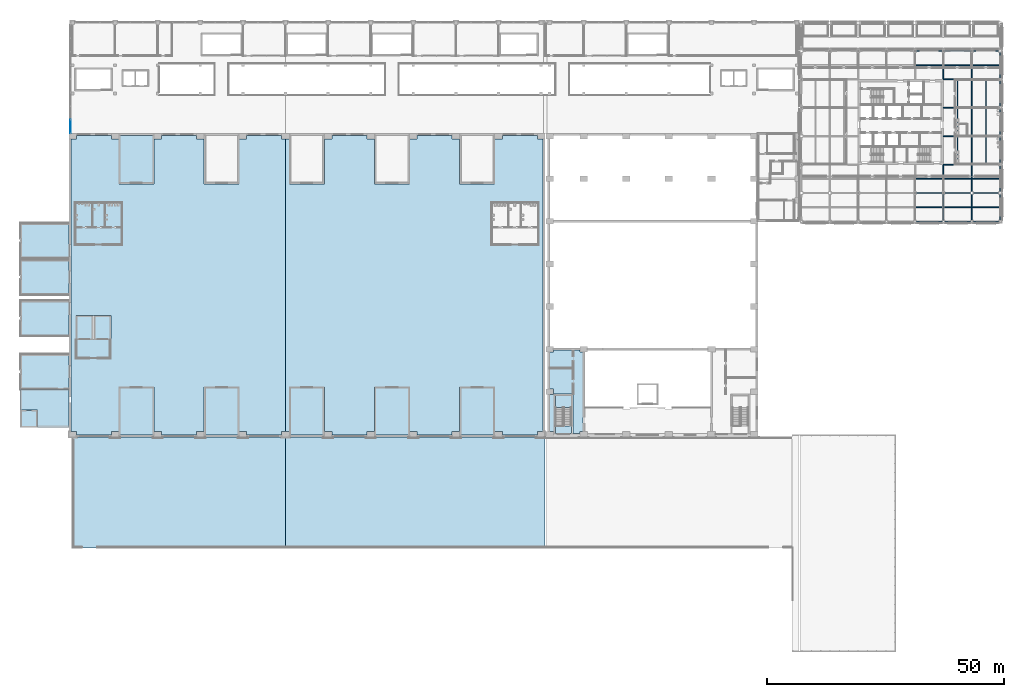
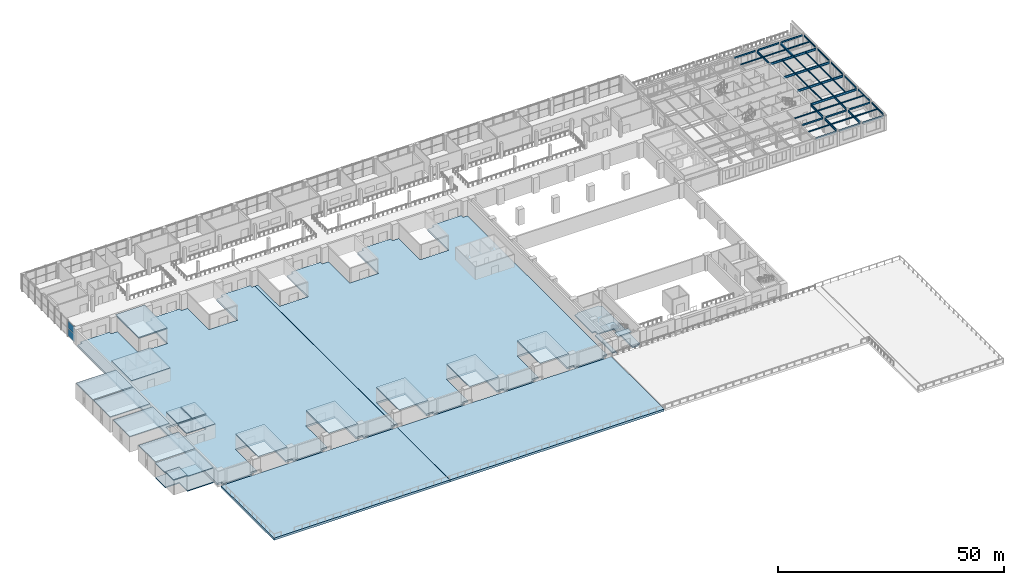
# One storey, part 10 of 39: 43 beams, 24 slabs, 2 plates, 2 elements without a shape of their own.
"""IFC4 building model written with IfcOpenShell, lengths in metres."""

from ifc_helpers import new_model, si_unit, direction, frame, origin, origin_2d, place, context, subcontext, project, spatial, polyline, rectangle, i_section, outline, extrude, material, layer, layer_set, material_profile, profile_set, type_object, element, aggregate, save


model = new_model("IFC4")

# Units and contexts
model_context = context("Model", 3, precision=1e-05, world=origin(), true_north=direction((0.0, 1.0)))
body_context = subcontext(model_context, "Body", "Model", "MODEL_VIEW")
ifc_project = project(units=[si_unit("LENGTHUNIT", "METRE"), si_unit("AREAUNIT", "SQUARE_METRE"), si_unit("VOLUMEUNIT", "CUBIC_METRE"), si_unit("PLANEANGLEUNIT", "RADIAN"), si_unit("MASSUNIT", "GRAM", prefix="KILO")], contexts=[model_context])

# Site, building, storey
site_placement = place(None, origin())
site = spatial("IfcSite", under=ifc_project, at=site_placement, CompositionType="ELEMENT")
building_placement = place(site_placement, origin())
building = spatial("IfcBuilding", under=site, at=building_placement, Name="Aravalli Gate Trade Fair Centre", CompositionType="ELEMENT")
storey_placement = place(building_placement, frame((0.0, 0.0, 15.0)))
storey = spatial("IfcBuildingStorey", under=building, at=storey_placement, Name="L03", CompositionType="ELEMENT", Elevation=15.0)

# Beams
ifc_material_1 = material(Name="Steel E350", Category="steel")
ifc_material_profile_1 = material_profile(ifc_material_1, i_section(OverallWidth=0.2099609375, OverallDepth=0.60009765625, WebThickness=0.011962890625, FlangeThickness=0.020263671875, at=origin_2d()), Name="ISMB 600")
ifc_profile_set_1 = profile_set([ifc_material_profile_1], Name="Steel E350")
beam_type_1 = type_object("IfcBeamType", Name="Wing core to perimeter girder ISMB 600 (office floors)", PredefinedType="BEAM", material=ifc_profile_set_1)
for number, where, z_axis, x_axis, name in (
    (1, (190.0, 103.0, 3.699951171875), (1.0, 0.0, 0.0), (0.0, 1.0, 0.0), "Core to perimeter girder PE0 L04"),
    (2, (190.0, 109.0, 3.699951171875), (1.0, 0.0, 0.0), (0.0, 1.0, 0.0), "Core to perimeter girder PE1 L04"),
    (3, (190.0, 115.0, 3.699951171875), (1.0, 0.0, 0.0), (0.0, 1.0, 0.0), "Core to perimeter girder PE2 L04"),
    (4, (190.0, 121.0, 3.699951171875), (1.0, 0.0, 0.0), (0.0, 1.0, 0.0), "Core to perimeter girder PE3 L04"),
):
    element("IfcBeam", number, at=place(storey_placement, frame(where, z_axis=z_axis, x_axis=x_axis)), inside=storey, type_object=beam_type_1, Name=name, PredefinedType="BEAM", context=body_context, shape_type="SweptSolid", body=[
        extrude(i_section(OverallWidth=0.2099609375, OverallDepth=0.60009765625, WebThickness=0.011962890625, FlangeThickness=0.020263671875, at=origin_2d()), origin(), (0.0, 0.0, 1.0), 11.72509765625),
    ])
beam_1_placement = place(storey_placement, frame((190.0, 91.27490234375, 3.699951171875), z_axis=(0.0, 1.0, 0.0), x_axis=(-1.0, 0.0, 0.0)))
element("IfcBeam", 5, at=beam_1_placement, inside=storey, type_object=beam_type_1, Name="Core to perimeter girder PS3a L04", PredefinedType="BEAM", context=body_context, shape_type="SweptSolid", body=[
    extrude(i_section(OverallWidth=0.2099609375, OverallDepth=0.60009765625, WebThickness=0.011962890625, FlangeThickness=0.020263671875, at=origin_2d()), origin(), (0.0, 0.0, 1.0), 5.4501953125),
])
for number, where, z_axis, x_axis, name in (
    (6, (190.0, 97.27490234375, 3.699951171875), (0.0, 1.0, 0.0), (-1.0, 0.0, 0.0), "Core to perimeter girder PS3b L04"),
    (7, (190.0, 121.10498046875, 3.699951171875), (0.0, 1.0, 0.0), (-1.0, 0.0, 0.0), "Core to perimeter girder PN3a L04"),
):
    element("IfcBeam", number, at=place(storey_placement, frame(where, z_axis=z_axis, x_axis=x_axis)), inside=storey, type_object=beam_type_1, Name=name, PredefinedType="BEAM", context=body_context, shape_type="SweptSolid", body=[
        extrude(i_section(OverallWidth=0.2099609375, OverallDepth=0.60009765625, WebThickness=0.011962890625, FlangeThickness=0.020263671875, at=origin_2d()), origin(), (0.0, 0.0, 1.0), 5.6201171875),
    ])
ifc_material_profile_2 = material_profile(ifc_material_1, i_section(OverallWidth=0.2099609375, OverallDepth=0.60009765625, WebThickness=0.011962890625, FlangeThickness=0.020263671875, at=origin_2d()), Name="ISMB 600")
ifc_profile_set_2 = profile_set([ifc_material_profile_2], Name="Steel E350")
beam_type_2 = type_object("IfcBeamType", Name="Wing corner transfer girder ISMB 600 (office floors)", PredefinedType="BEAM", material=ifc_profile_set_2)
beam_2_placement = place(storey_placement, frame((196.0, 91.27490234375, 3.699951171875), z_axis=(0.0, 1.0, 0.0), x_axis=(-1.0, 0.0, 0.0)))
element("IfcBeam", 8, at=beam_2_placement, inside=storey, type_object=beam_type_2, Name="Corner transfer girder CSEya L04", PredefinedType="BEAM", context=body_context, shape_type="SweptSolid", body=[
    extrude(i_section(OverallWidth=0.2099609375, OverallDepth=0.60009765625, WebThickness=0.011962890625, FlangeThickness=0.020263671875, at=origin_2d()), origin(), (0.0, 0.0, 1.0), 5.4501953125),
])
for number, where, z_axis, x_axis, name in (
    (9, (196.0, 97.27490234375, 3.699951171875), (0.0, 1.0, 0.0), (-1.0, 0.0, 0.0), "Corner transfer girder CSEyb L04"),
    (10, (196.0, 121.10498046875, 3.699951171875), (0.0, 1.0, 0.0), (-1.0, 0.0, 0.0), "Corner transfer girder CNEya L04"),
):
    element("IfcBeam", number, at=place(storey_placement, frame(where, z_axis=z_axis, x_axis=x_axis)), inside=storey, type_object=beam_type_2, Name=name, PredefinedType="BEAM", context=body_context, shape_type="SweptSolid", body=[
        extrude(i_section(OverallWidth=0.2099609375, OverallDepth=0.60009765625, WebThickness=0.011962890625, FlangeThickness=0.020263671875, at=origin_2d()), origin(), (0.0, 0.0, 1.0), 5.6201171875),
    ])
ifc_material_profile_3 = material_profile(ifc_material_1, i_section(OverallWidth=0.14990234375, OverallDepth=0.449951171875, WebThickness=0.009521484375, FlangeThickness=0.017333984375, at=origin_2d()), Name="ISMB 450")
ifc_profile_set_3 = profile_set([ifc_material_profile_3], Name="Steel E350")
beam_type_3 = type_object("IfcBeamType", Name="Wing perimeter beam ISMB 450 (office floors)", PredefinedType="BEAM", material=ifc_profile_set_3)
for number, where, z_axis, x_axis, name in (
    (11, (184.27490234375, 91.0, 3.77490234375), (1.0, 0.0, 0.0), (0.0, 1.0, 0.0), "Perimeter beam ES4 L04"),
    (12, (190.27490234375, 91.0, 3.77490234375), (1.0, 0.0, 0.0), (0.0, 1.0, 0.0), "Perimeter beam ES5 L04"),
    (13, (196.27490234375, 91.0, 3.77490234375), (1.0, 0.0, 0.0), (0.0, 1.0, 0.0), "Perimeter beam ES6 L04"),
    (14, (184.27490234375, 97.0, 3.77490234375), (1.0, 0.0, 0.0), (0.0, 1.0, 0.0), "Perimeter beam ER4 L04"),
    (15, (184.27490234375, 127.0, 3.77490234375), (1.0, 0.0, 0.0), (0.0, 1.0, 0.0), "Perimeter beam EQ4 L04"),
    (16, (190.27490234375, 97.0, 3.77490234375), (1.0, 0.0, 0.0), (0.0, 1.0, 0.0), "Perimeter beam ER5 L04"),
    (17, (190.27490234375, 127.0, 3.77490234375), (1.0, 0.0, 0.0), (0.0, 1.0, 0.0), "Perimeter beam EQ5 L04"),
    (18, (196.27490234375, 97.0, 3.77490234375), (1.0, 0.0, 0.0), (0.0, 1.0, 0.0), "Perimeter beam ER6 L04"),
    (19, (196.27490234375, 127.0, 3.77490234375), (1.0, 0.0, 0.0), (0.0, 1.0, 0.0), "Perimeter beam EQ6 L04"),
    (20, (202.0, 91.27490234375, 3.77490234375), (0.0, 1.0, 0.0), (-1.0, 0.0, 0.0), "Perimeter beam EE0 L04"),
    (21, (202.0, 97.27490234375, 3.77490234375), (0.0, 1.0, 0.0), (-1.0, 0.0, 0.0), "Perimeter beam EE1 L04"),
    (22, (202.0, 103.27490234375, 3.77490234375), (0.0, 1.0, 0.0), (-1.0, 0.0, 0.0), "Perimeter beam EE2 L04"),
    (23, (202.0, 109.27490234375, 3.77490234375), (0.0, 1.0, 0.0), (-1.0, 0.0, 0.0), "Perimeter beam EE3 L04"),
    (24, (202.0, 115.27490234375, 3.77490234375), (0.0, 1.0, 0.0), (-1.0, 0.0, 0.0), "Perimeter beam EE4 L04"),
    (25, (202.0, 121.27490234375, 3.77490234375), (0.0, 1.0, 0.0), (-1.0, 0.0, 0.0), "Perimeter beam EE5 L04"),
):
    element("IfcBeam", number, at=place(storey_placement, frame(where, z_axis=z_axis, x_axis=x_axis)), inside=storey, type_object=beam_type_3, Name=name, PredefinedType="BEAM", context=body_context, shape_type="SweptSolid", body=[
        extrude(i_section(OverallWidth=0.14990234375, OverallDepth=0.449951171875, WebThickness=0.009521484375, FlangeThickness=0.017333984375, at=origin_2d()), origin(), (0.0, 0.0, 1.0), 5.4501953125),
    ])
ifc_material_profile_4 = material_profile(ifc_material_1, i_section(OverallWidth=0.139892578125, OverallDepth=0.35009765625, WebThickness=0.008056640625, FlangeThickness=0.01416015625, at=origin_2d()), Name="ISMB 350")
ifc_profile_set_4 = profile_set([ifc_material_profile_4], Name="Steel E350")
beam_type_4 = type_object("IfcBeamType", Name="Wing secondary beam ISMB 350 (office floors)", PredefinedType="BEAM", material=ifc_profile_set_4)
beam_3_placement = place(storey_placement, frame((190.10498046875, 94.0, 3.824951171875), z_axis=(1.0, 0.0, 0.0), x_axis=(0.0, 1.0, 0.0)))
element("IfcBeam", 26, at=beam_3_placement, inside=storey, type_object=beam_type_4, Name="Secondary beam KES00 L04", PredefinedType="BEAM", context=body_context, shape_type="SweptSolid", body=[
    extrude(i_section(OverallWidth=0.139892578125, OverallDepth=0.35009765625, WebThickness=0.008056640625, FlangeThickness=0.01416015625, at=origin_2d()), origin(), (0.0, 0.0, 1.0), 5.7900390625),
])
beam_4_placement = place(storey_placement, frame((196.10498046875, 94.0, 3.824951171875), z_axis=(1.0, 0.0, 0.0), x_axis=(0.0, 1.0, 0.0)))
element("IfcBeam", 27, at=beam_4_placement, inside=storey, type_object=beam_type_4, Name="Secondary beam KES01 L04", PredefinedType="BEAM", context=body_context, shape_type="SweptSolid", body=[
    extrude(i_section(OverallWidth=0.139892578125, OverallDepth=0.35009765625, WebThickness=0.008056640625, FlangeThickness=0.01416015625, at=origin_2d()), origin(), (0.0, 0.0, 1.0), 5.820068359375),
])
beam_5_placement = place(storey_placement, frame((190.10498046875, 100.0, 3.824951171875), z_axis=(1.0, 0.0, 0.0), x_axis=(0.0, 1.0, 0.0)))
element("IfcBeam", 28, at=beam_5_placement, inside=storey, type_object=beam_type_4, Name="Secondary beam KES10 L04", PredefinedType="BEAM", context=body_context, shape_type="SweptSolid", body=[
    extrude(i_section(OverallWidth=0.139892578125, OverallDepth=0.35009765625, WebThickness=0.008056640625, FlangeThickness=0.01416015625, at=origin_2d()), origin(), (0.0, 0.0, 1.0), 5.7900390625),
])
beam_6_placement = place(storey_placement, frame((196.10498046875, 100.0, 3.824951171875), z_axis=(1.0, 0.0, 0.0), x_axis=(0.0, 1.0, 0.0)))
element("IfcBeam", 29, at=beam_6_placement, inside=storey, type_object=beam_type_4, Name="Secondary beam KES11 L04", PredefinedType="BEAM", context=body_context, shape_type="SweptSolid", body=[
    extrude(i_section(OverallWidth=0.139892578125, OverallDepth=0.35009765625, WebThickness=0.008056640625, FlangeThickness=0.01416015625, at=origin_2d()), origin(), (0.0, 0.0, 1.0), 5.820068359375),
])
beam_7_placement = place(storey_placement, frame((190.10498046875, 124.0, 3.824951171875), z_axis=(1.0, 0.0, 0.0), x_axis=(0.0, 1.0, 0.0)))
element("IfcBeam", 30, at=beam_7_placement, inside=storey, type_object=beam_type_4, Name="Secondary beam KEN00 L04", PredefinedType="BEAM", context=body_context, shape_type="SweptSolid", body=[
    extrude(i_section(OverallWidth=0.139892578125, OverallDepth=0.35009765625, WebThickness=0.008056640625, FlangeThickness=0.01416015625, at=origin_2d()), origin(), (0.0, 0.0, 1.0), 5.7900390625),
])
beam_8_placement = place(storey_placement, frame((196.10498046875, 124.0, 3.824951171875), z_axis=(1.0, 0.0, 0.0), x_axis=(0.0, 1.0, 0.0)))
element("IfcBeam", 31, at=beam_8_placement, inside=storey, type_object=beam_type_4, Name="Secondary beam KEN01 L04", PredefinedType="BEAM", context=body_context, shape_type="SweptSolid", body=[
    extrude(i_section(OverallWidth=0.139892578125, OverallDepth=0.35009765625, WebThickness=0.008056640625, FlangeThickness=0.01416015625, at=origin_2d()), origin(), (0.0, 0.0, 1.0), 5.820068359375),
])
for number, where, z_axis, x_axis, name in (
    (32, (193.0, 103.10498046875, 3.824951171875), (0.0, 1.0, 0.0), (-1.0, 0.0, 0.0), "Secondary beam BE0193 L04"),
    (33, (196.0, 103.10498046875, 3.824951171875), (0.0, 1.0, 0.0), (-1.0, 0.0, 0.0), "Secondary beam BE0196 L04"),
    (34, (199.0, 103.10498046875, 3.824951171875), (0.0, 1.0, 0.0), (-1.0, 0.0, 0.0), "Secondary beam BE0199 L04"),
    (35, (193.0, 109.10498046875, 3.824951171875), (0.0, 1.0, 0.0), (-1.0, 0.0, 0.0), "Secondary beam BE1193 L04"),
    (36, (196.0, 109.10498046875, 3.824951171875), (0.0, 1.0, 0.0), (-1.0, 0.0, 0.0), "Secondary beam BE1196 L04"),
    (37, (199.0, 109.10498046875, 3.824951171875), (0.0, 1.0, 0.0), (-1.0, 0.0, 0.0), "Secondary beam BE1199 L04"),
    (38, (193.0, 115.10498046875, 3.824951171875), (0.0, 1.0, 0.0), (-1.0, 0.0, 0.0), "Secondary beam BE2193 L04"),
    (39, (196.0, 115.10498046875, 3.824951171875), (0.0, 1.0, 0.0), (-1.0, 0.0, 0.0), "Secondary beam BE2196 L04"),
    (40, (199.0, 115.10498046875, 3.824951171875), (0.0, 1.0, 0.0), (-1.0, 0.0, 0.0), "Secondary beam BE2199 L04"),
    (41, (184.10498046875, 94.0, 3.824951171875), (1.0, 0.0, 0.0), (0.0, 1.0, 0.0), "Secondary beam BS294 L04"),
    (42, (184.10498046875, 100.0, 3.824951171875), (1.0, 0.0, 0.0), (0.0, 1.0, 0.0), "Secondary beam BS2100 L04"),
    (43, (184.10498046875, 124.0, 3.824951171875), (1.0, 0.0, 0.0), (0.0, 1.0, 0.0), "Secondary beam BN2124 L04"),
):
    element("IfcBeam", number, at=place(storey_placement, frame(where, z_axis=z_axis, x_axis=x_axis)), inside=storey, type_object=beam_type_4, Name=name, PredefinedType="BEAM", context=body_context, shape_type="SweptSolid", body=[
        extrude(i_section(OverallWidth=0.139892578125, OverallDepth=0.35009765625, WebThickness=0.008056640625, FlangeThickness=0.01416015625, at=origin_2d()), origin(), (0.0, 0.0, 1.0), 5.7900390625),
    ])

# Stair, slabs
ifc_material_2 = material(Name="Concrete M45", Category="concrete")
stair_type = type_object("IfcStairType", Name="Congress exit stair", PredefinedType="HALF_TURN_STAIR", material=ifc_material_2)
stair_placement = place(storey_placement, origin())
stair = element("IfcStair", 44, at=stair_placement, inside=storey, type_object=stair_type, Name="Stage Stair West L03", PredefinedType="HALF_TURN_STAIR")
ifc_layer_1 = layer(ifc_material_2, 0.199951171875)
ifc_layer_set_1 = layer_set([ifc_layer_1], Name="Concrete M45")
slab_type_1 = type_object("IfcSlabType", Name="Congress exit stair landing RC 200", PredefinedType="LANDING", material=ifc_layer_set_1)
slab_1_placement = place(storey_placement, frame((0.0, 0.0, 1.89990234375)))
slab_1 = element("IfcSlab", 45, at=slab_1_placement, type_object=slab_type_1, Name="GX1 landing 1", PredefinedType="LANDING", context=body_context, shape_type="SweptSolid", body=[
    extrude(outline(polyline([(108.0, 51.699951171875), (111.39990234375, 51.699951171875), (111.39990234375, 54.199951171875), (108.0, 54.199951171875), (108.0, 51.699951171875)])), origin(), (0.0, 0.0, 1.0), 0.2001953125),
])
slab_2_placement = place(storey_placement, frame((0.0, 0.0, 4.0)))
slab_2 = element("IfcSlab", 46, at=slab_2_placement, type_object=slab_type_1, Name="GX1 landing 2", PredefinedType="LANDING", context=body_context, shape_type="SweptSolid", body=[
    extrude(outline(polyline([(108.0, 46.199951171875), (111.39990234375, 46.199951171875), (111.39990234375, 47.800048828125), (108.0, 47.800048828125), (108.0, 46.199951171875)])), origin(), (0.0, 0.0, 1.0), 0.199951171875),
])
aggregate(stair, [slab_1, slab_2])

# Slab
ifc_material_3 = material(Name="Concrete M40", Category="concrete")
ifc_layer_2 = layer(ifc_material_3, 0.300048828125)
ifc_layer_set_2 = layer_set([ifc_layer_2], Name="Concrete M40")
slab_type_2 = type_object("IfcSlabType", Name="Congress floor slab RC 300", PredefinedType="FLOOR", material=ifc_layer_set_2)
slab_3_placement = place(storey_placement, frame((0.0, 0.0, -0.300048828125)))
element("IfcSlab", 47, at=slab_3_placement, inside=storey, type_object=slab_type_2, Name="Stage wing floor L03 W", PredefinedType="FLOOR", context=body_context, shape_type="SweptSolid", body=[
    extrude(outline(polyline([(113.199951171875, 46.60009765625), (113.199951171875, 46.199951171875), (111.699951171875, 46.199951171875), (111.699951171875, 54.5), (107.699951171875, 54.5), (107.699951171875, 46.199951171875), (107.60009765625, 46.199951171875), (107.60009765625, 46.60009765625), (106.800048828125, 46.60009765625), (106.800048828125, 54.39990234375), (107.60009765625, 54.39990234375), (107.60009765625, 55.60009765625), (106.800048828125, 55.60009765625), (106.800048828125, 63.39990234375), (107.60009765625, 63.39990234375), (107.60009765625, 63.800048828125), (113.199951171875, 63.800048828125), (113.199951171875, 63.39990234375), (113.800048828125, 63.39990234375), (113.800048828125, 46.60009765625), (113.199951171875, 46.60009765625)])), origin(), (0.0, 0.0, 1.0), 0.300048828125),
])

# Curtain wall, plates
ifc_material_4 = material(Name="Aluminium and glass", Category="aluminium")
curtain_wall_type = type_object("IfcCurtainWallType", Name="Curtain wall 3000 module, tall", PredefinedType="NOTDEFINED", material=ifc_material_4)
curtain_wall_placement = place(storey_placement, origin())
curtain_wall = element("IfcCurtainWall", 48, at=curtain_wall_placement, inside=storey, type_object=curtain_wall_type, Name="Curtain wall west end L03", PredefinedType="NOTDEFINED")
ifc_material_5 = material(Name="Glass, double glazed", Category="glass")
ifc_layer_3 = layer(ifc_material_5, 0.028076171875)
ifc_layer_set_3 = layer_set([ifc_layer_3], Name="Glass, double glazed")
plate_type = type_object("IfcPlateType", Name="Curtain wall panel, double glazed 28", PredefinedType="CURTAIN_PANEL", material=ifc_layer_set_3)
plate_1_placement = place(storey_placement, frame((5.574951171875, 111.052490234375, 0.06005859375), z_axis=(0.0, 0.0, 1.0), x_axis=(0.0, 1.0, 0.0)))
plate_1 = element("IfcPlate", 49, at=plate_1_placement, type_object=plate_type, Name="CW3 panel 1.1", PredefinedType="CURTAIN_PANEL", context=body_context, shape_type="SweptSolid", body=[
    extrude(rectangle(XDim=2.784912109375, YDim=0.028076171875, at=origin_2d()), origin(), (0.0, 0.0, 1.0), 2.010009765625),
])
plate_2_placement = place(storey_placement, frame((5.574951171875, 111.052490234375, 2.1298828125), z_axis=(0.0, 0.0, 1.0), x_axis=(0.0, 1.0, 0.0)))
plate_2 = element("IfcPlate", 50, at=plate_2_placement, type_object=plate_type, Name="CW3 panel 1.2", PredefinedType="CURTAIN_PANEL", context=body_context, shape_type="SweptSolid", body=[
    extrude(rectangle(XDim=2.784912109375, YDim=0.028076171875, at=origin_2d()), origin(), (0.0, 0.0, 1.0), 2.010009765625),
])
aggregate(curtain_wall, [plate_1, plate_2])

# Slabs
ifc_layer_4 = layer(ifc_material_3, 0.25)
ifc_layer_set_4 = layer_set([ifc_layer_4], Name="Concrete M40")
slab_type_3 = type_object("IfcSlabType", Name="Firefighting lobby floor slab RC 250", PredefinedType="FLOOR", material=ifc_layer_set_4)
slab_4_placement = place(storey_placement, frame((0.0, 0.0, -0.25)))
element("IfcSlab", 51, at=slab_4_placement, inside=storey, type_object=slab_type_3, Name="Firefighting lobby floor L03", PredefinedType="FLOOR", context=body_context, shape_type="SweptSolid", body=[
    extrude(outline(polyline([(-5.0, 55.5), (5.199951171875, 55.5), (5.199951171875, 47.5), (-1.39990234375, 47.5), (-1.39990234375, 51.10009765625), (-5.0, 51.10009765625), (-5.0, 55.5)])), origin(), (0.0, 0.0, 1.0), 0.25),
])
ifc_layer_5 = layer(ifc_material_3, 0.199951171875)
ifc_layer_set_5 = layer_set([ifc_layer_5], Name="Concrete M40")
slab_type_4 = type_object("IfcSlabType", Name="Firefighting lobby roof slab RC 200", PredefinedType="ROOF", material=ifc_layer_set_5)
slab_5_placement = place(storey_placement, frame((0.0, 0.0, 3.699951171875)))
element("IfcSlab", 52, at=slab_5_placement, inside=storey, type_object=slab_type_4, Name="Firefighting lobby roof", PredefinedType="ROOF", context=body_context, shape_type="SweptSolid", body=[
    extrude(outline(polyline([(-5.0, 55.5), (5.199951171875, 55.5), (5.199951171875, 47.5), (-1.39990234375, 47.5), (-1.39990234375, 51.10009765625), (-5.0, 51.10009765625), (-5.0, 55.5)])), origin(), (0.0, 0.0, 1.0), 0.199951171875),
])
ifc_layer_6 = layer(ifc_material_3, 0.300048828125)
ifc_layer_set_6 = layer_set([ifc_layer_6], Name="Concrete M40")
slab_type_5 = type_object("IfcSlabType", Name="Firefighting shaft roof slab RC 300", PredefinedType="ROOF", material=ifc_layer_set_6)
slab_6_placement = place(storey_placement, frame((0.0, 0.0, 3.89990234375)))
element("IfcSlab", 53, at=slab_6_placement, inside=storey, type_object=slab_type_5, Name="Firefighting lift shaft roof", PredefinedType="ROOF", context=body_context, shape_type="SweptSolid", body=[
    extrude(outline(polyline([(-5.0, 47.5), (-1.39990234375, 47.5), (-1.39990234375, 51.10009765625), (-5.0, 51.10009765625), (-5.0, 47.5)])), origin(), (0.0, 0.0, 1.0), 0.300048828125),
])
ifc_layer_7 = layer(ifc_material_3, 0.300048828125)
ifc_layer_set_7 = layer_set([ifc_layer_7], Name="Concrete M40")
slab_type_6 = type_object("IfcSlabType", Name="Freight shaft roof slab RC 300", PredefinedType="ROOF", material=ifc_layer_set_7)
slab_7_placement = place(storey_placement, frame((0.0, 0.0, 3.89990234375)))
element("IfcSlab", 54, at=slab_7_placement, inside=storey, type_object=slab_type_6, Name="Freight lift 1 shaft roof", PredefinedType="ROOF", context=body_context, shape_type="SweptSolid", body=[
    extrude(outline(polyline([(6.699951171875, 66.0), (10.300048828125, 66.0), (10.300048828125, 71.10009765625), (6.699951171875, 71.10009765625), (6.699951171875, 66.0)])), origin(), (0.0, 0.0, 1.0), 0.300048828125),
])
slab_8_placement = place(storey_placement, frame((0.0, 0.0, 3.89990234375)))
element("IfcSlab", 55, at=slab_8_placement, inside=storey, type_object=slab_type_6, Name="Freight lift 2 shaft roof", PredefinedType="ROOF", context=body_context, shape_type="SweptSolid", body=[
    extrude(outline(polyline([(10.5, 66.0), (14.10009765625, 66.0), (14.10009765625, 71.10009765625), (10.5, 71.10009765625), (10.5, 66.0)])), origin(), (0.0, 0.0, 1.0), 0.300048828125),
])
ifc_layer_8 = layer(ifc_material_3, 0.5)
ifc_layer_set_8 = layer_set([ifc_layer_8], Name="Concrete M40")
slab_type_7 = type_object("IfcSlabType", Name="Hall 2 deck RC 500", PredefinedType="FLOOR", material=ifc_layer_set_8)
slab_9_placement = place(storey_placement, frame((0.0, 0.0, -0.5)))
element("IfcSlab", 56, at=slab_9_placement, inside=storey, type_object=slab_type_7, Name="Hall 2 deck panel 1", PredefinedType="FLOOR", context=body_context, shape_type="SweptSolid", body=[
    extrude(outline(polyline([(50.199951171875, 46.60009765625), (50.199951171875, 45.85009765625), (42.800048828125, 45.85009765625), (42.800048828125, 46.60009765625), (41.199951171875, 46.60009765625), (41.199951171875, 56.050048828125), (33.800048828125, 56.050048828125), (33.800048828125, 46.60009765625), (32.199951171875, 46.60009765625), (32.199951171875, 45.85009765625), (24.800048828125, 45.85009765625), (24.800048828125, 46.60009765625), (23.199951171875, 46.60009765625), (23.199951171875, 56.050048828125), (15.800048828125, 56.050048828125), (15.800048828125, 46.60009765625), (14.199951171875, 46.60009765625), (14.199951171875, 45.85009765625), (6.800048828125, 45.85009765625), (6.800048828125, 46.60009765625), (5.64990234375, 46.60009765625), (5.64990234375, 108.39990234375), (6.800048828125, 108.39990234375), (6.800048828125, 109.14990234375), (14.199951171875, 109.14990234375), (14.199951171875, 108.39990234375), (15.800048828125, 108.39990234375), (15.800048828125, 98.949951171875), (23.199951171875, 98.949951171875), (23.199951171875, 108.39990234375), (24.800048828125, 108.39990234375), (24.800048828125, 109.14990234375), (32.199951171875, 109.14990234375), (32.199951171875, 108.39990234375), (33.800048828125, 108.39990234375), (33.800048828125, 98.949951171875), (41.199951171875, 98.949951171875), (41.199951171875, 108.39990234375), (42.800048828125, 108.39990234375), (42.800048828125, 109.14990234375), (50.199951171875, 109.14990234375), (50.199951171875, 108.39990234375), (50.97998046875, 108.39990234375), (50.97998046875, 46.60009765625), (50.199951171875, 46.60009765625)]), holes=[polyline([(14.10009765625, 71.10009765625), (6.699951171875, 71.10009765625), (6.699951171875, 66.0), (14.10009765625, 66.0), (14.10009765625, 71.10009765625)])]), origin(), (0.0, 0.0, 1.0), 0.5),
])
slab_10_placement = place(storey_placement, frame((0.0, 0.0, -0.5)))
element("IfcSlab", 57, at=slab_10_placement, inside=storey, type_object=slab_type_7, Name="Hall 2 deck panel 2", PredefinedType="FLOOR", context=body_context, shape_type="SweptSolid", body=[
    extrude(outline(polyline([(104.199951171875, 46.60009765625), (104.199951171875, 45.85009765625), (96.800048828125, 45.85009765625), (96.800048828125, 46.60009765625), (95.199951171875, 46.60009765625), (95.199951171875, 56.050048828125), (87.800048828125, 56.050048828125), (87.800048828125, 46.60009765625), (86.199951171875, 46.60009765625), (86.199951171875, 45.85009765625), (78.800048828125, 45.85009765625), (78.800048828125, 46.60009765625), (77.199951171875, 46.60009765625), (77.199951171875, 56.050048828125), (69.800048828125, 56.050048828125), (69.800048828125, 46.60009765625), (68.199951171875, 46.60009765625), (68.199951171875, 45.85009765625), (60.800048828125, 45.85009765625), (60.800048828125, 46.60009765625), (59.199951171875, 46.60009765625), (59.199951171875, 56.050048828125), (51.800048828125, 56.050048828125), (51.800048828125, 46.60009765625), (51.02001953125, 46.60009765625), (51.02001953125, 108.39990234375), (51.800048828125, 108.39990234375), (51.800048828125, 98.949951171875), (59.199951171875, 98.949951171875), (59.199951171875, 108.39990234375), (60.800048828125, 108.39990234375), (60.800048828125, 109.14990234375), (68.199951171875, 109.14990234375), (68.199951171875, 108.39990234375), (69.800048828125, 108.39990234375), (69.800048828125, 98.949951171875), (77.199951171875, 98.949951171875), (77.199951171875, 108.39990234375), (78.800048828125, 108.39990234375), (78.800048828125, 109.14990234375), (86.199951171875, 109.14990234375), (86.199951171875, 108.39990234375), (87.800048828125, 108.39990234375), (87.800048828125, 98.949951171875), (95.199951171875, 98.949951171875), (95.199951171875, 108.39990234375), (96.800048828125, 108.39990234375), (96.800048828125, 109.14990234375), (104.199951171875, 109.14990234375), (104.199951171875, 108.39990234375), (105.35009765625, 108.39990234375), (105.35009765625, 46.60009765625), (104.199951171875, 46.60009765625)])), origin(), (0.0, 0.0, 1.0), 0.5),
])
ifc_layer_9 = layer(ifc_material_2, 0.60009765625)
ifc_layer_set_9 = layer_set([ifc_layer_9], Name="Concrete M45")
slab_type_8 = type_object("IfcSlabType", Name="Loading deck slab RC 600", PredefinedType="FLOOR", material=ifc_layer_set_9)
slab_11_placement = place(storey_placement, frame((0.0, 0.0, -0.60009765625)))
element("IfcSlab", 58, at=slab_11_placement, inside=storey, type_object=slab_type_8, Name="Loading deck slab 1", PredefinedType="FLOOR", context=body_context, shape_type="SweptSolid", body=[
    extrude(outline(polyline([(6.0, 22.0), (50.97998046875, 22.0), (50.97998046875, 45.39990234375), (6.0, 45.39990234375), (6.0, 22.0)])), origin(), (0.0, 0.0, 1.0), 0.60009765625),
])
slab_12_placement = place(storey_placement, frame((0.0, 0.0, -0.60009765625)))
element("IfcSlab", 59, at=slab_12_placement, inside=storey, type_object=slab_type_8, Name="Loading deck slab 2", PredefinedType="FLOOR", context=body_context, shape_type="SweptSolid", body=[
    extrude(outline(polyline([(51.02001953125, 22.0), (105.800048828125, 22.0), (105.800048828125, 45.39990234375), (51.02001953125, 45.39990234375), (51.02001953125, 22.0)])), origin(), (0.0, 0.0, 1.0), 0.60009765625),
])
ifc_layer_10 = layer(ifc_material_3, 0.300048828125)
ifc_layer_set_10 = layer_set([ifc_layer_10], Name="Concrete M40")
slab_type_9 = type_object("IfcSlabType", Name="Stair head-house roof RC 300", PredefinedType="ROOF", material=ifc_layer_set_10)
slab_13_placement = place(storey_placement, frame((0.0, 0.0, 3.89990234375)))
element("IfcSlab", 60, at=slab_13_placement, inside=storey, type_object=slab_type_9, Name="Stair tower S02 head-house roof", PredefinedType="ROOF", context=body_context, shape_type="SweptSolid", body=[
    extrude(outline(polyline([(15.800048828125, 45.85009765625), (23.199951171875, 45.85009765625), (23.199951171875, 56.050048828125), (15.800048828125, 56.050048828125), (15.800048828125, 45.85009765625)])), origin(), (0.0, 0.0, 1.0), 0.300048828125),
])
slab_14_placement = place(storey_placement, frame((0.0, 0.0, 3.89990234375)))
element("IfcSlab", 61, at=slab_14_placement, inside=storey, type_object=slab_type_9, Name="Stair tower S04 head-house roof", PredefinedType="ROOF", context=body_context, shape_type="SweptSolid", body=[
    extrude(outline(polyline([(33.800048828125, 45.85009765625), (41.199951171875, 45.85009765625), (41.199951171875, 56.050048828125), (33.800048828125, 56.050048828125), (33.800048828125, 45.85009765625)])), origin(), (0.0, 0.0, 1.0), 0.300048828125),
])
slab_15_placement = place(storey_placement, frame((0.0, 0.0, 3.89990234375)))
element("IfcSlab", 62, at=slab_15_placement, inside=storey, type_object=slab_type_9, Name="Stair tower S06 head-house roof", PredefinedType="ROOF", context=body_context, shape_type="SweptSolid", body=[
    extrude(outline(polyline([(51.800048828125, 45.85009765625), (59.199951171875, 45.85009765625), (59.199951171875, 56.050048828125), (51.800048828125, 56.050048828125), (51.800048828125, 45.85009765625)])), origin(), (0.0, 0.0, 1.0), 0.300048828125),
])
slab_16_placement = place(storey_placement, frame((0.0, 0.0, 3.89990234375)))
element("IfcSlab", 63, at=slab_16_placement, inside=storey, type_object=slab_type_9, Name="Stair tower S08 head-house roof", PredefinedType="ROOF", context=body_context, shape_type="SweptSolid", body=[
    extrude(outline(polyline([(69.800048828125, 45.85009765625), (77.199951171875, 45.85009765625), (77.199951171875, 56.050048828125), (69.800048828125, 56.050048828125), (69.800048828125, 45.85009765625)])), origin(), (0.0, 0.0, 1.0), 0.300048828125),
])
slab_17_placement = place(storey_placement, frame((0.0, 0.0, 3.89990234375)))
element("IfcSlab", 64, at=slab_17_placement, inside=storey, type_object=slab_type_9, Name="Stair tower S10 head-house roof", PredefinedType="ROOF", context=body_context, shape_type="SweptSolid", body=[
    extrude(outline(polyline([(87.800048828125, 45.85009765625), (95.199951171875, 45.85009765625), (95.199951171875, 56.050048828125), (87.800048828125, 56.050048828125), (87.800048828125, 45.85009765625)])), origin(), (0.0, 0.0, 1.0), 0.300048828125),
])
slab_18_placement = place(storey_placement, frame((0.0, 0.0, 3.89990234375)))
element("IfcSlab", 65, at=slab_18_placement, inside=storey, type_object=slab_type_9, Name="Stair tower N02 head-house roof", PredefinedType="ROOF", context=body_context, shape_type="SweptSolid", body=[
    extrude(outline(polyline([(15.800048828125, 109.14990234375), (23.199951171875, 109.14990234375), (23.199951171875, 98.949951171875), (15.800048828125, 98.949951171875), (15.800048828125, 109.14990234375)])), origin(), (0.0, 0.0, 1.0), 0.300048828125),
])
slab_19_placement = place(storey_placement, frame((0.0, 0.0, 3.89990234375)))
element("IfcSlab", 66, at=slab_19_placement, inside=storey, type_object=slab_type_9, Name="Stair tower W1 head-house roof", PredefinedType="ROOF", context=body_context, shape_type="SweptSolid", body=[
    extrude(outline(polyline([(5.199951171875, 55.5), (5.199951171875, 62.89990234375), (-5.0, 62.89990234375), (-5.0, 55.5), (5.199951171875, 55.5)])), origin(), (0.0, 0.0, 1.0), 0.300048828125),
])
slab_20_placement = place(storey_placement, frame((0.0, 0.0, 3.89990234375)))
element("IfcSlab", 67, at=slab_20_placement, inside=storey, type_object=slab_type_9, Name="Stair tower W2 head-house roof", PredefinedType="ROOF", context=body_context, shape_type="SweptSolid", body=[
    extrude(outline(polyline([(5.199951171875, 75.5), (5.199951171875, 82.89990234375), (-5.0, 82.89990234375), (-5.0, 75.5), (5.199951171875, 75.5)])), origin(), (0.0, 0.0, 1.0), 0.300048828125),
])
slab_21_placement = place(storey_placement, frame((0.0, 0.0, 3.89990234375)))
element("IfcSlab", 68, at=slab_21_placement, inside=storey, type_object=slab_type_9, Name="Stair tower W4 head-house roof", PredefinedType="ROOF", context=body_context, shape_type="SweptSolid", body=[
    extrude(outline(polyline([(5.199951171875, 66.800048828125), (5.199951171875, 74.199951171875), (-5.0, 74.199951171875), (-5.0, 66.800048828125), (5.199951171875, 66.800048828125)])), origin(), (0.0, 0.0, 1.0), 0.300048828125),
])
slab_22_placement = place(storey_placement, frame((0.0, 0.0, 3.89990234375)))
element("IfcSlab", 69, at=slab_22_placement, inside=storey, type_object=slab_type_9, Name="Stair tower W5 head-house roof", PredefinedType="ROOF", context=body_context, shape_type="SweptSolid", body=[
    extrude(outline(polyline([(5.199951171875, 83.199951171875), (5.199951171875, 90.60009765625), (-5.0, 90.60009765625), (-5.0, 83.199951171875), (5.199951171875, 83.199951171875)])), origin(), (0.0, 0.0, 1.0), 0.300048828125),
])
ifc_layer_11 = layer(ifc_material_3, 0.14990234375)
ifc_layer_set_11 = layer_set([ifc_layer_11], Name="Concrete M40")
slab_type_10 = type_object("IfcSlabType", Name="WC block roof slab 150", PredefinedType="ROOF", material=ifc_layer_set_11)
slab_23_placement = place(storey_placement, frame((0.0, 0.0, 3.449951171875)))
element("IfcSlab", 70, at=slab_23_placement, inside=storey, type_object=slab_type_10, Name="WC block W L03 roof", PredefinedType="ROOF", context=body_context, shape_type="SweptSolid", body=[
    extrude(outline(polyline([(6.5, 86.0), (16.5, 86.0), (16.5, 95.0), (6.5, 95.0), (6.5, 86.0)])), origin(), (0.0, 0.0, 1.0), 0.150146484375),
])
slab_24_placement = place(storey_placement, frame((0.0, 0.0, 3.699951171875)))
element("IfcSlab", 71, at=slab_24_placement, inside=storey, type_object=slab_type_10, Name="Freight lift lobby roof L03", PredefinedType="ROOF", context=body_context, shape_type="SweptSolid", body=[
    extrude(outline(polyline([(6.699951171875, 62.0), (14.10009765625, 62.0), (14.10009765625, 66.0), (6.699951171875, 66.0), (6.699951171875, 62.0)])), origin(), (0.0, 0.0, 1.0), 0.150146484375),
])

save(model, "model.ifc")
